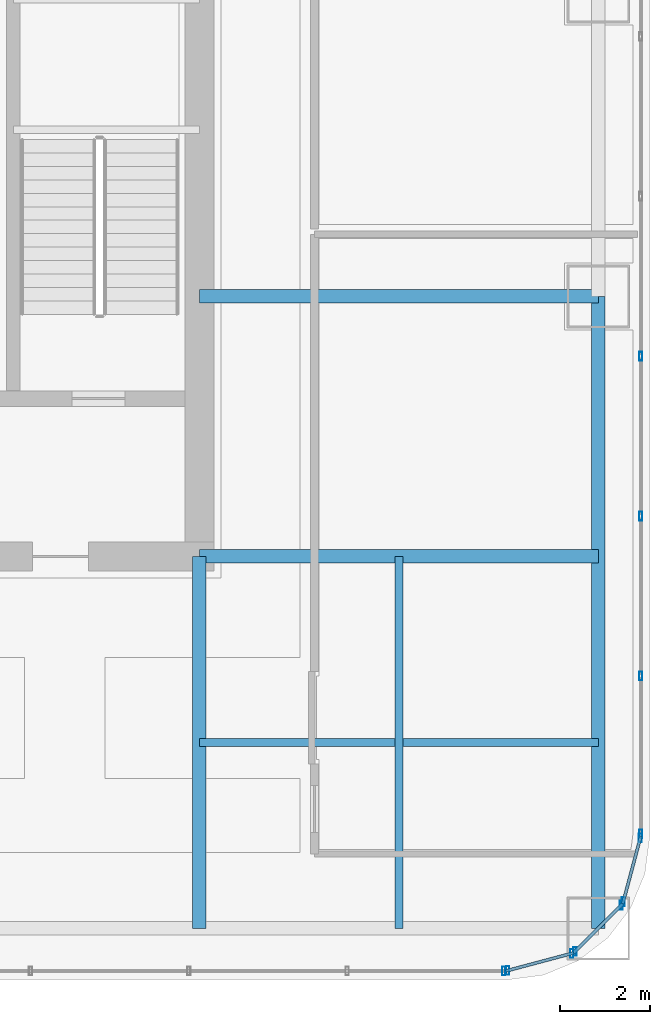
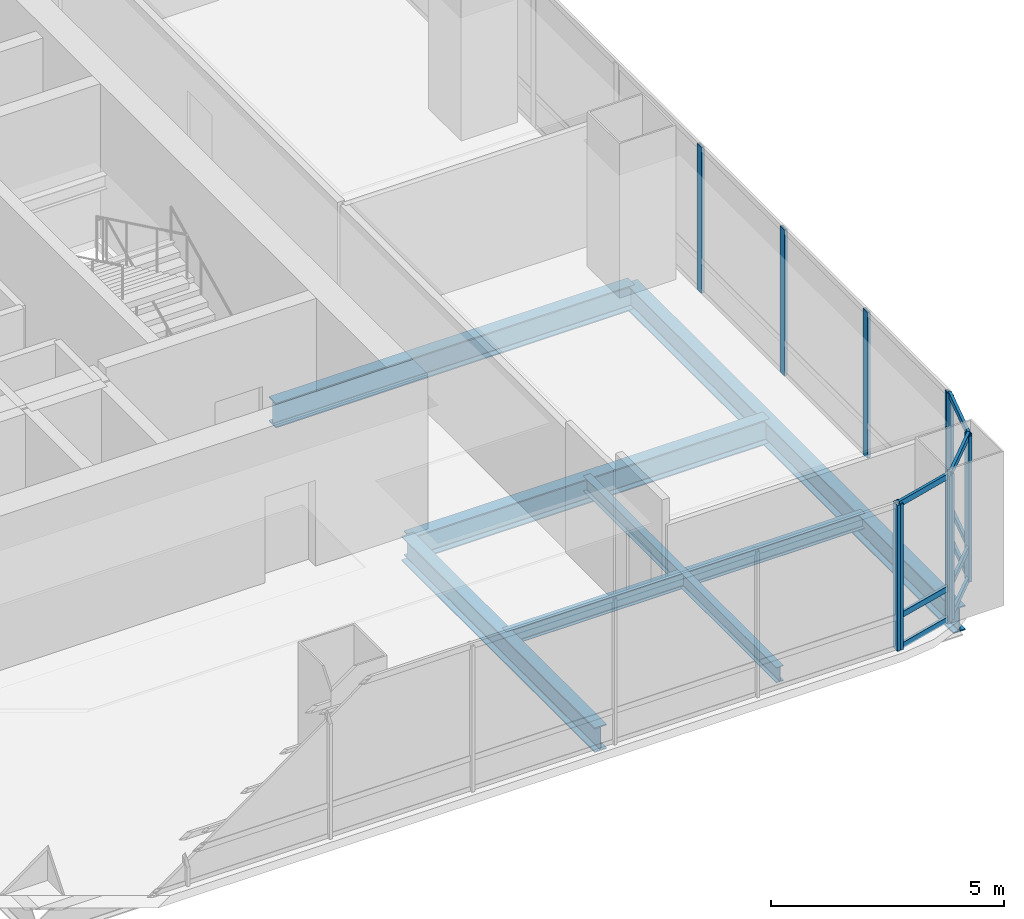
# One storey, part 15 of 38: 20 members, 6 beams, 5 elements without a shape of their own.
"""IFC4 building model written with IfcOpenShell, lengths in metres."""

from ifc_helpers import new_model, si_unit, direction, frame, origin, origin_2d, place, context, subcontext, project, spatial, hollow_rectangle, i_section, extrude, material, material_profile, profile_set, type_object, element, aggregate, save


model = new_model("IFC4")

# Units and contexts
model_context = context("Model", 3, precision=1e-05, world=origin(), true_north=direction((0.0, 1.0)))
body_context = subcontext(model_context, "Body", "Model", "MODEL_VIEW")
ifc_project = project(units=[si_unit("LENGTHUNIT", "METRE"), si_unit("AREAUNIT", "SQUARE_METRE"), si_unit("VOLUMEUNIT", "CUBIC_METRE"), si_unit("PLANEANGLEUNIT", "RADIAN"), si_unit("MASSUNIT", "GRAM", prefix="KILO")], contexts=[model_context])

# Site, building, storey
site_placement = place(None, origin())
site = spatial("IfcSite", under=ifc_project, at=site_placement, CompositionType="ELEMENT")
building_placement = place(site_placement, origin())
building = spatial("IfcBuilding", under=site, at=building_placement, Name="Punatoya Terracotta Tower", CompositionType="ELEMENT")
storey_placement = place(building_placement, frame((0.0, 0.0, 143.85009765625)))
storey = spatial("IfcBuildingStorey", under=building, at=storey_placement, Name="L33", CompositionType="ELEMENT", Elevation=143.85009765625)

# Beams
ifc_material_1 = material(Name="Steel S355", Category="steel")
ifc_material_profile_1 = material_profile(ifc_material_1, i_section(OverallWidth=0.300048828125, OverallDepth=0.64990234375, WebThickness=0.01611328125, FlangeThickness=0.031005859375, FilletRadius=0.01806640625, at=origin_2d()))
ifc_profile_set_1 = profile_set([ifc_material_profile_1], Name="Steel S355")
beam_type_1 = type_object("IfcBeamType", Name="BM-PRI-650", PredefinedType="BEAM", material=ifc_profile_set_1)
beam_1_placement = place(storey_placement, frame((19.10009765625, -17.5, -0.545166015625), z_axis=(0.0, 1.0, 0.0), x_axis=(-1.0, 0.0, 0.0)))
element("IfcBeam", 1, at=beam_1_placement, inside=storey, type_object=beam_type_1, Name="BM-L33-RG-E1", PredefinedType="BEAM", context=body_context, shape_type="SweptSolid", body=[
    extrude(i_section(OverallWidth=0.300048828125, OverallDepth=0.64990234375, WebThickness=0.01611328125, FlangeThickness=0.031005859375, FilletRadius=0.01806640625, at=origin_2d()), origin(), (0.0, 0.0, 1.0), 14.10009765625),
])
for number, where, z_axis, x_axis, name in (
    (2, (10.199951171875, -9.199951171875, -0.545166015625), (1.0, 0.0, 0.0), (0.0, 1.0, 0.0), "BM-L33-PR-ES"),
    (3, (10.199951171875, -3.39990234375, -0.545166015625), (1.0, 0.0, 0.0), (0.0, 1.0, 0.0), "BM-L33-PR-ED"),
):
    element("IfcBeam", number, at=place(storey_placement, frame(where, z_axis=z_axis, x_axis=x_axis)), inside=storey, type_object=beam_type_1, Name=name, PredefinedType="BEAM", context=body_context, shape_type="SweptSolid", body=[
        extrude(i_section(OverallWidth=0.300048828125, OverallDepth=0.64990234375, WebThickness=0.01611328125, FlangeThickness=0.031005859375, FilletRadius=0.01806640625, at=origin_2d()), origin(), (0.0, 0.0, 1.0), 8.900146484375),
    ])
beam_2_placement = place(storey_placement, frame((10.199951171875, -17.5, -0.545166015625), z_axis=(0.0, 1.0, 0.0), x_axis=(-1.0, 0.0, 0.0)))
element("IfcBeam", 4, at=beam_2_placement, inside=storey, type_object=beam_type_1, Name="BM-L33-PR-S4", PredefinedType="BEAM", context=body_context, shape_type="SweptSolid", body=[
    extrude(i_section(OverallWidth=0.300048828125, OverallDepth=0.64990234375, WebThickness=0.01611328125, FlangeThickness=0.031005859375, FilletRadius=0.01806640625, at=origin_2d()), origin(), (0.0, 0.0, 1.0), 8.300048828125),
])
ifc_material_profile_2 = material_profile(ifc_material_1, i_section(OverallWidth=0.179931640625, OverallDepth=0.39990234375, WebThickness=0.008544921875, FlangeThickness=0.013427734375, FilletRadius=0.01806640625, at=origin_2d()))
ifc_profile_set_2 = profile_set([ifc_material_profile_2], Name="Steel S355")
beam_type_2 = type_object("IfcBeamType", Name="BM-SEC-400", PredefinedType="JOIST", material=ifc_profile_set_2)
beam_3_placement = place(storey_placement, frame((10.199951171875, -13.35009765625, -0.420166015625), z_axis=(1.0, 0.0, 0.0), x_axis=(0.0, 1.0, 0.0)))
element("IfcBeam", 5, at=beam_3_placement, inside=storey, type_object=beam_type_2, Name="BM-L33-SJS-2", PredefinedType="JOIST", context=body_context, shape_type="SweptSolid", body=[
    extrude(i_section(OverallWidth=0.179931640625, OverallDepth=0.39990234375, WebThickness=0.008544921875, FlangeThickness=0.013427734375, FilletRadius=0.01806640625, at=origin_2d()), origin(), (0.0, 0.0, 1.0), 8.900146484375),
])
beam_4_placement = place(storey_placement, frame((14.64990234375, -17.5, -0.420166015625), z_axis=(0.0, 1.0, 0.0), x_axis=(-1.0, 0.0, 0.0)))
element("IfcBeam", 6, at=beam_4_placement, inside=storey, type_object=beam_type_2, Name="BM-L33-SJE-1", PredefinedType="JOIST", context=body_context, shape_type="SweptSolid", body=[
    extrude(i_section(OverallWidth=0.179931640625, OverallDepth=0.39990234375, WebThickness=0.008544921875, FlangeThickness=0.013427734375, FilletRadius=0.01806640625, at=origin_2d()), origin(), (0.0, 0.0, 1.0), 8.300048828125),
])

# Curtain wall, member
ifc_material_2 = material(Name="Aluminium 6063-T6 + Double Low-E Glass", Category="aluminium")
curtain_wall_type = type_object("IfcCurtainWallType", Name="CW-M2", PredefinedType="NOTDEFINED", material=ifc_material_2)
curtain_wall_1_placement = place(storey_placement, origin())
curtain_wall_1 = element("IfcCurtainWall", 7, at=curtain_wall_1_placement, inside=storey, type_object=curtain_wall_type, Name="L33 Curtain Wall CW-L33-S01-1", PredefinedType="NOTDEFINED")
ifc_material_3 = material(Name="Aluminium 6063-T6", Category="aluminium")
ifc_material_profile_3 = material_profile(ifc_material_3, hollow_rectangle(XDim=0.072021484375, YDim=0.195068359375, WallThickness=0.00439453125, at=origin_2d()))
ifc_profile_set_3 = profile_set([ifc_material_profile_3], Name="Aluminium 6063-T6")
member_type_1 = type_object("IfcMemberType", Name="CW-MUL-M2", PredefinedType="MULLION", material=ifc_profile_set_3)
member_1_placement = place(storey_placement, frame((16.991943359375, -18.449951171875, 0.0), z_axis=(0.0, 0.0, 1.0), x_axis=(1.0, 0.0, 0.0)))
member_1 = element("IfcMember", 8, at=member_1_placement, type_object=member_type_1, Name="CW-L33-S01-1 Mullion 11", PredefinedType="MULLION", context=body_context, shape_type="SweptSolid", body=[
    extrude(hollow_rectangle(XDim=0.072021484375, YDim=0.195068359375, WallThickness=0.00439453125, at=origin_2d()), origin(), (0.0, 0.0, 1.0), 3.829833984375),
])
aggregate(curtain_wall_1, [member_1])

# Curtain wall, members
curtain_wall_2_placement = place(storey_placement, origin())
curtain_wall_2 = element("IfcCurtainWall", 9, at=curtain_wall_2_placement, inside=storey, type_object=curtain_wall_type, Name="L33 Curtain Wall CW-L33-CRN02", PredefinedType="NOTDEFINED")
member_2_placement = place(storey_placement, frame((17.080322265625, -18.4384765625, 0.0), z_axis=(0.0, 0.0, 1.0), x_axis=(1.0, 0.0, 0.0)))
member_2 = element("IfcMember", 10, at=member_2_placement, type_object=member_type_1, Name="CW-L33-CRN02 Mullion 00", PredefinedType="MULLION", context=body_context, shape_type="SweptSolid", body=[
    extrude(hollow_rectangle(XDim=0.072021484375, YDim=0.195068359375, WallThickness=0.00439453125, at=origin_2d()), origin(), (0.0, 0.0, 1.0), 3.829833984375),
])
member_3_placement = place(storey_placement, frame((18.505615234375, -18.05810546875, 0.0), z_axis=(0.0, 0.0, 1.0), x_axis=(1.0, 0.0, 0.0)))
member_3 = element("IfcMember", 11, at=member_3_placement, type_object=member_type_1, Name="CW-L33-CRN02 Mullion 01", PredefinedType="MULLION", context=body_context, shape_type="SweptSolid", body=[
    extrude(hollow_rectangle(XDim=0.072021484375, YDim=0.195068359375, WallThickness=0.00439453125, at=origin_2d()), origin(), (0.0, 0.0, 1.0), 3.829833984375),
])

curtain_wall_3_placement = place(storey_placement, origin())
curtain_wall_3 = element("IfcCurtainWall", 12, at=curtain_wall_3_placement, inside=storey, type_object=curtain_wall_type, Name="L33 Curtain Wall CW-L33-CRN03", PredefinedType="NOTDEFINED")
member_4_placement = place(storey_placement, frame((18.580810546875, -18.014892578125, 0.0), z_axis=(0.0, 0.0, 1.0), x_axis=(1.0, 0.0, 0.0)))
member_4 = element("IfcMember", 13, at=member_4_placement, type_object=member_type_1, Name="CW-L33-CRN03 Mullion 00", PredefinedType="MULLION", context=body_context, shape_type="SweptSolid", body=[
    extrude(hollow_rectangle(XDim=0.072021484375, YDim=0.195068359375, WallThickness=0.00439453125, at=origin_2d()), origin(), (0.0, 0.0, 1.0), 3.829833984375),
])
member_5_placement = place(storey_placement, frame((19.61474609375, -16.98095703125, 0.0), z_axis=(0.0, 0.0, 1.0), x_axis=(1.0, 0.0, 0.0)))
member_5 = element("IfcMember", 14, at=member_5_placement, type_object=member_type_1, Name="CW-L33-CRN03 Mullion 01", PredefinedType="MULLION", context=body_context, shape_type="SweptSolid", body=[
    extrude(hollow_rectangle(XDim=0.072021484375, YDim=0.195068359375, WallThickness=0.00439453125, at=origin_2d()), origin(), (0.0, 0.0, 1.0), 3.829833984375),
])

curtain_wall_4_placement = place(storey_placement, origin())
curtain_wall_4 = element("IfcCurtainWall", 15, at=curtain_wall_4_placement, inside=storey, type_object=curtain_wall_type, Name="L33 Curtain Wall CW-L33-CRN04", PredefinedType="NOTDEFINED")
member_6_placement = place(storey_placement, frame((19.658203125, -16.905517578125, 0.0), z_axis=(0.0, 0.0, 1.0), x_axis=(1.0, 0.0, 0.0)))
member_6 = element("IfcMember", 16, at=member_6_placement, type_object=member_type_1, Name="CW-L33-CRN04 Mullion 00", PredefinedType="MULLION", context=body_context, shape_type="SweptSolid", body=[
    extrude(hollow_rectangle(XDim=0.072021484375, YDim=0.195068359375, WallThickness=0.00439453125, at=origin_2d()), origin(), (0.0, 0.0, 1.0), 3.829833984375),
])
member_7_placement = place(storey_placement, frame((20.038330078125, -15.48046875, 0.0), z_axis=(0.0, 0.0, 1.0), x_axis=(1.0, 0.0, 0.0)))
member_7 = element("IfcMember", 17, at=member_7_placement, type_object=member_type_1, Name="CW-L33-CRN04 Mullion 01", PredefinedType="MULLION", context=body_context, shape_type="SweptSolid", body=[
    extrude(hollow_rectangle(XDim=0.072021484375, YDim=0.195068359375, WallThickness=0.00439453125, at=origin_2d()), origin(), (0.0, 0.0, 1.0), 3.829833984375),
])

curtain_wall_5_placement = place(storey_placement, origin())
curtain_wall_5 = element("IfcCurtainWall", 18, at=curtain_wall_5_placement, inside=storey, type_object=curtain_wall_type, Name="L33 Curtain Wall CW-L33-E05-1", PredefinedType="NOTDEFINED")
member_8_placement = place(storey_placement, frame((20.050048828125, -15.391845703125, 0.0), z_axis=(0.0, 0.0, 1.0), x_axis=(1.0, 0.0, 0.0)))
member_8 = element("IfcMember", 19, at=member_8_placement, type_object=member_type_1, Name="CW-L33-E05-1 Mullion 00", PredefinedType="MULLION", context=body_context, shape_type="SweptSolid", body=[
    extrude(hollow_rectangle(XDim=0.072021484375, YDim=0.195068359375, WallThickness=0.00439453125, at=origin_2d()), origin(), (0.0, 0.0, 1.0), 3.829833984375),
])
member_9_placement = place(storey_placement, frame((20.050048828125, -11.869384765625, 0.0), z_axis=(0.0, 0.0, 1.0), x_axis=(1.0, 0.0, 0.0)))
member_9 = element("IfcMember", 20, at=member_9_placement, type_object=member_type_1, Name="CW-L33-E05-1 Mullion 01", PredefinedType="MULLION", context=body_context, shape_type="SweptSolid", body=[
    extrude(hollow_rectangle(XDim=0.072021484375, YDim=0.195068359375, WallThickness=0.00439453125, at=origin_2d()), origin(), (0.0, 0.0, 1.0), 3.829833984375),
])
member_10_placement = place(storey_placement, frame((20.050048828125, -8.302001953125, 0.0), z_axis=(0.0, 0.0, 1.0), x_axis=(1.0, 0.0, 0.0)))
member_10 = element("IfcMember", 21, at=member_10_placement, type_object=member_type_1, Name="CW-L33-E05-1 Mullion 02", PredefinedType="MULLION", context=body_context, shape_type="SweptSolid", body=[
    extrude(hollow_rectangle(XDim=0.072021484375, YDim=0.195068359375, WallThickness=0.00439453125, at=origin_2d()), origin(), (0.0, 0.0, 1.0), 3.829833984375),
])
member_11_placement = place(storey_placement, frame((20.050048828125, -4.73486328125, 0.0), z_axis=(0.0, 0.0, 1.0), x_axis=(1.0, 0.0, 0.0)))
member_11 = element("IfcMember", 22, at=member_11_placement, type_object=member_type_1, Name="CW-L33-E05-1 Mullion 03", PredefinedType="MULLION", context=body_context, shape_type="SweptSolid", body=[
    extrude(hollow_rectangle(XDim=0.072021484375, YDim=0.195068359375, WallThickness=0.00439453125, at=origin_2d()), origin(), (0.0, 0.0, 1.0), 3.829833984375),
])
aggregate(curtain_wall_5, [member_8, member_9, member_10, member_11])

# Member
ifc_material_profile_4 = material_profile(ifc_material_3, hollow_rectangle(XDim=0.068115234375, YDim=0.14990234375, WallThickness=0.00390625, at=origin_2d()))
ifc_profile_set_4 = profile_set([ifc_material_profile_4], Name="Aluminium 6063-T6")
member_type_2 = type_object("IfcMemberType", Name="CW-TRN-TYP", PredefinedType="USERDEFINED", material=ifc_profile_set_4)
member_12_placement = place(storey_placement, frame((17.036865234375, -18.449951171875, 0.039794921875), z_axis=(0.966224582397, 0.257701486942, 0.0), x_axis=(-0.257701486942, 0.966224582397, 0.0)))
member_12 = element("IfcMember", 23, at=member_12_placement, type_object=member_type_2, Name="CW-L33-CRN02 Transom 1", ObjectType="TRANSOM", PredefinedType="USERDEFINED", context=body_context, shape_type="SweptSolid", body=[
    extrude(hollow_rectangle(XDim=0.068115234375, YDim=0.14990234375, WallThickness=0.00390625, at=origin_2d()), origin(), (0.0, 0.0, 1.0), 1.565185546875),
])

member_13_placement = place(storey_placement, frame((17.036865234375, -18.449951171875, 0.849853515625), z_axis=(0.966224582397, 0.257701486942, 0.0), x_axis=(-0.257701486942, 0.966224582397, 0.0)))
member_13 = element("IfcMember", 24, at=member_13_placement, type_object=member_type_2, Name="CW-L33-CRN02 Transom 2", ObjectType="TRANSOM", PredefinedType="USERDEFINED", context=body_context, shape_type="SweptSolid", body=[
    extrude(hollow_rectangle(XDim=0.068115234375, YDim=0.14990234375, WallThickness=0.00390625, at=origin_2d()), origin(), (0.0, 0.0, 1.0), 1.565185546875),
])

member_14_placement = place(storey_placement, frame((17.036865234375, -18.449951171875, 3.789794921875), z_axis=(0.966224582397, 0.257701486942, 0.0), x_axis=(-0.257701486942, 0.966224582397, 0.0)))
member_14 = element("IfcMember", 25, at=member_14_placement, type_object=member_type_2, Name="CW-L33-CRN02 Transom 3", ObjectType="TRANSOM", PredefinedType="USERDEFINED", context=body_context, shape_type="SweptSolid", body=[
    extrude(hollow_rectangle(XDim=0.068115234375, YDim=0.14990234375, WallThickness=0.00390625, at=origin_2d()), origin(), (0.0, 0.0, 1.0), 1.565185546875),
])

aggregate(curtain_wall_2, [member_2, member_3, member_12, member_13, member_14])

member_15_placement = place(storey_placement, frame((18.549072265625, -18.046630859375, 0.039794921875), z_axis=(0.707106781187, 0.707106781187, 0.0), x_axis=(-0.707106781187, 0.707106781187, 0.0)))
member_15 = element("IfcMember", 26, at=member_15_placement, type_object=member_type_2, Name="CW-L33-CRN03 Transom 1", ObjectType="TRANSOM", PredefinedType="USERDEFINED", context=body_context, shape_type="SweptSolid", body=[
    extrude(hollow_rectangle(XDim=0.068115234375, YDim=0.14990234375, WallThickness=0.00390625, at=origin_2d()), origin(), (0.0, 0.0, 1.0), 1.552001953125),
])

member_16_placement = place(storey_placement, frame((18.549072265625, -18.046630859375, 0.849853515625), z_axis=(0.707106781187, 0.707106781187, 0.0), x_axis=(-0.707106781187, 0.707106781187, 0.0)))
member_16 = element("IfcMember", 27, at=member_16_placement, type_object=member_type_2, Name="CW-L33-CRN03 Transom 2", ObjectType="TRANSOM", PredefinedType="USERDEFINED", context=body_context, shape_type="SweptSolid", body=[
    extrude(hollow_rectangle(XDim=0.068115234375, YDim=0.14990234375, WallThickness=0.00390625, at=origin_2d()), origin(), (0.0, 0.0, 1.0), 1.552001953125),
])

member_17_placement = place(storey_placement, frame((18.549072265625, -18.046630859375, 3.789794921875), z_axis=(0.707106781187, 0.707106781187, 0.0), x_axis=(-0.707106781187, 0.707106781187, 0.0)))
member_17 = element("IfcMember", 28, at=member_17_placement, type_object=member_type_2, Name="CW-L33-CRN03 Transom 3", ObjectType="TRANSOM", PredefinedType="USERDEFINED", context=body_context, shape_type="SweptSolid", body=[
    extrude(hollow_rectangle(XDim=0.068115234375, YDim=0.14990234375, WallThickness=0.00390625, at=origin_2d()), origin(), (0.0, 0.0, 1.0), 1.552001953125),
])

aggregate(curtain_wall_3, [member_4, member_5, member_15, member_16, member_17])

member_18_placement = place(storey_placement, frame((19.646484375, -16.94921875, 0.039794921875), z_axis=(0.257847112249, 0.966185730957, 0.0), x_axis=(-0.966185730957, 0.257847112249, 0.0)))
member_18 = element("IfcMember", 29, at=member_18_placement, type_object=member_type_2, Name="CW-L33-CRN04 Transom 1", ObjectType="TRANSOM", PredefinedType="USERDEFINED", context=body_context, shape_type="SweptSolid", body=[
    extrude(hollow_rectangle(XDim=0.068115234375, YDim=0.14990234375, WallThickness=0.00390625, at=origin_2d()), origin(), (0.0, 0.0, 1.0), 1.565185546875),
])

member_19_placement = place(storey_placement, frame((19.646484375, -16.94921875, 0.849853515625), z_axis=(0.257847112249, 0.966185730957, 0.0), x_axis=(-0.966185730957, 0.257847112249, 0.0)))
member_19 = element("IfcMember", 30, at=member_19_placement, type_object=member_type_2, Name="CW-L33-CRN04 Transom 2", ObjectType="TRANSOM", PredefinedType="USERDEFINED", context=body_context, shape_type="SweptSolid", body=[
    extrude(hollow_rectangle(XDim=0.068115234375, YDim=0.14990234375, WallThickness=0.00390625, at=origin_2d()), origin(), (0.0, 0.0, 1.0), 1.565185546875),
])

member_20_placement = place(storey_placement, frame((19.646484375, -16.94921875, 3.789794921875), z_axis=(0.257847112249, 0.966185730957, 0.0), x_axis=(-0.966185730957, 0.257847112249, 0.0)))
member_20 = element("IfcMember", 31, at=member_20_placement, type_object=member_type_2, Name="CW-L33-CRN04 Transom 3", ObjectType="TRANSOM", PredefinedType="USERDEFINED", context=body_context, shape_type="SweptSolid", body=[
    extrude(hollow_rectangle(XDim=0.068115234375, YDim=0.14990234375, WallThickness=0.00390625, at=origin_2d()), origin(), (0.0, 0.0, 1.0), 1.565185546875),
])

aggregate(curtain_wall_4, [member_6, member_7, member_18, member_19, member_20])

save(model, "model.ifc")
